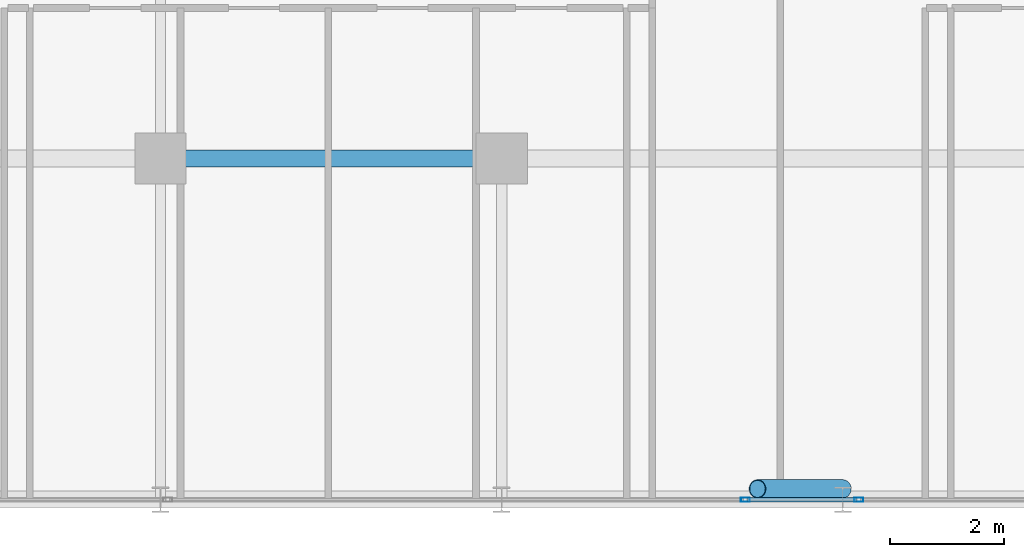
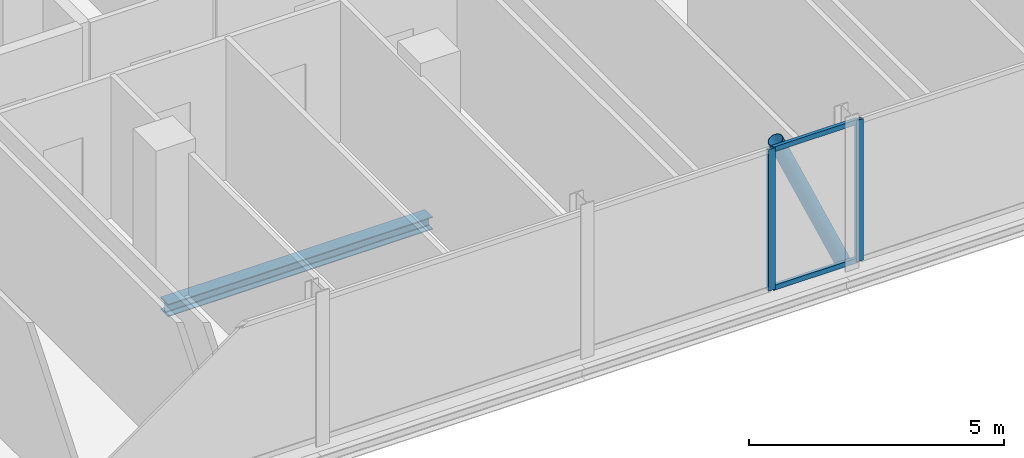
# One storey, part 10 of 29: 5 members, 1 beam, 2 elements without a shape of their own.
"""IFC4 building model written with IfcOpenShell, lengths in metres."""

from ifc_helpers import new_model, si_unit, direction, frame, origin, origin_2d, place, context, subcontext, project, spatial, hollow_rectangle, hollow_circle, i_section, extrude, material, layer, layer_set, material_profile, profile_set, type_object, element, aggregate, save


model = new_model("IFC4")

# Units and contexts
model_context = context("Model", 3, precision=1e-05, world=origin(), true_north=direction((0.0, 1.0)))
body_context = subcontext(model_context, "Body", "Model", "MODEL_VIEW")
ifc_project = project(units=[si_unit("LENGTHUNIT", "METRE"), si_unit("AREAUNIT", "SQUARE_METRE"), si_unit("VOLUMEUNIT", "CUBIC_METRE"), si_unit("PLANEANGLEUNIT", "RADIAN"), si_unit("MASSUNIT", "GRAM", prefix="KILO")], contexts=[model_context])

# Site, building, storey
site_placement = place(None, origin())
site = spatial("IfcSite", under=ifc_project, at=site_placement, CompositionType="ELEMENT")
building_placement = place(site_placement, origin())
building = spatial("IfcBuilding", under=site, at=building_placement, Name="Keshet Zoharim Tower", CompositionType="ELEMENT")
storey_placement = place(building_placement, frame((0.0, 0.0, 176.5)))
storey = spatial("IfcBuildingStorey", under=building, at=storey_placement, Name="L43", CompositionType="ELEMENT", Elevation=176.5)

# Beam
ifc_material_1 = material(Name="Steel S355", Category="steel")
ifc_material_profile_1 = material_profile(ifc_material_1, i_section(OverallWidth=0.300048828125, OverallDepth=0.300048828125, WebThickness=0.010986328125, FlangeThickness=0.01904296875, FilletRadius=0.027099609375, at=origin_2d()), Name="HEB300")
ifc_profile_set_1 = profile_set([ifc_material_profile_1], Name="Steel S355")
beam_type = type_object("IfcBeamType", Name="BM-PRI-HB300", PredefinedType="BEAM", material=ifc_profile_set_1)
beam_placement = place(storey_placement, frame((33.0, 6.699951171875, -0.4599609375), z_axis=(1.0, 0.0, 0.0), x_axis=(0.0, 1.0, 0.0)))
element("IfcBeam", 1, at=beam_placement, inside=storey, type_object=beam_type, Name="L43 Primary Girder X-007", PredefinedType="BEAM", context=body_context, shape_type="SweptSolid", body=[
    extrude(i_section(OverallWidth=0.300048828125, OverallDepth=0.300048828125, WebThickness=0.010986328125, FlangeThickness=0.01904296875, FilletRadius=0.027099609375, at=origin_2d()), origin(), (0.0, 0.0, 1.0), 6.0),
])

# Curtain wall, member
ifc_material_2 = material(Name="Aluminium 6063-T6", Category="aluminium")
ifc_layer = layer(ifc_material_2, 0.139892578125)
ifc_layer_set = layer_set([ifc_layer], Name="Aluminium 6063-T6")
curtain_wall_type = type_object("IfcCurtainWallType", Name="CW-SYS-05", PredefinedType="NOTDEFINED", material=ifc_layer_set)
curtain_wall_1_placement = place(storey_placement, origin())
curtain_wall_1 = element("IfcCurtainWall", 2, at=curtain_wall_1_placement, inside=storey, type_object=curtain_wall_type, Name="L43 Unitised Curtain Wall 06", PredefinedType="NOTDEFINED")
ifc_material_profile_2 = material_profile(ifc_material_2, hollow_rectangle(XDim=0.074951171875, YDim=0.159912109375, WallThickness=0.00390625, at=origin_2d()), Name="MUL-75x160")
ifc_profile_set_2 = profile_set([ifc_material_profile_2], Name="Aluminium 6063-T6")
member_type_1 = type_object("IfcMemberType", Name="CWM-M15", PredefinedType="MULLION", material=ifc_profile_set_2)
member_1_placement = place(storey_placement, frame((45.283203125, 0.699951171875, 0.0), z_axis=(0.0, 0.0, 1.0), x_axis=(0.0, -1.0, 0.0)))
member_1 = element("IfcMember", 3, at=member_1_placement, type_object=member_type_1, Name="CW-05 mullion 2", PredefinedType="MULLION", context=body_context, shape_type="SweptSolid", body=[
    extrude(hollow_rectangle(XDim=0.074951171875, YDim=0.159912109375, WallThickness=0.00390625, at=origin_2d()), origin(), (0.0, 0.0, 1.0), 3.389892578125),
])
aggregate(curtain_wall_1, [member_1])

# Curtain wall, members
curtain_wall_2_placement = place(storey_placement, origin())
curtain_wall_2 = element("IfcCurtainWall", 4, at=curtain_wall_2_placement, inside=storey, type_object=curtain_wall_type, Name="L43 Unitised Curtain Wall 06 Part 2", PredefinedType="NOTDEFINED")
member_2_placement = place(storey_placement, frame((43.286865234375, 0.699951171875, 0.0), z_axis=(0.0, 0.0, 1.0), x_axis=(0.0, -1.0, 0.0)))
member_2 = element("IfcMember", 5, at=member_2_placement, type_object=member_type_1, Name="CW-05 mullion 2", PredefinedType="MULLION", context=body_context, shape_type="SweptSolid", body=[
    extrude(hollow_rectangle(XDim=0.074951171875, YDim=0.159912109375, WallThickness=0.00390625, at=origin_2d()), origin(), (0.0, 0.0, 1.0), 3.389892578125),
])
ifc_material_profile_3 = material_profile(ifc_material_2, hollow_rectangle(XDim=0.074951171875, YDim=0.1201171875, WallThickness=0.00390625, at=origin_2d()), Name="TRN-75x120")
ifc_profile_set_3 = profile_set([ifc_material_profile_3], Name="Aluminium 6063-T6")
member_type_2 = type_object("IfcMemberType", Name="CWT-T12", PredefinedType="USERDEFINED", material=ifc_profile_set_3)
member_3_placement = place(storey_placement, frame((45.248046875, 0.699951171875, 0.034912109375), z_axis=(-1.0, 0.0, 0.0), x_axis=(0.0, -1.0, 0.0)))
member_3 = element("IfcMember", 6, at=member_3_placement, type_object=member_type_2, Name="CW-05 transom 1.1", ObjectType="TRANSOM", PredefinedType="USERDEFINED", context=body_context, shape_type="SweptSolid", body=[
    extrude(hollow_rectangle(XDim=0.074951171875, YDim=0.1201171875, WallThickness=0.00390625, at=origin_2d()), origin(), (0.0, 0.0, 1.0), 1.926025390625),
])
member_4_placement = place(storey_placement, frame((45.248046875, 0.699951171875, 3.35498046875), z_axis=(-1.0, 0.0, 0.0), x_axis=(0.0, -1.0, 0.0)))
member_4 = element("IfcMember", 7, at=member_4_placement, type_object=member_type_2, Name="CW-05 transom 1.2", ObjectType="TRANSOM", PredefinedType="USERDEFINED", context=body_context, shape_type="SweptSolid", body=[
    extrude(hollow_rectangle(XDim=0.074951171875, YDim=0.1201171875, WallThickness=0.00390625, at=origin_2d()), origin(), (0.0, 0.0, 1.0), 1.926025390625),
])
aggregate(curtain_wall_2, [member_2, member_3, member_4])

# Member
ifc_material_profile_4 = material_profile(ifc_material_1, hollow_circle(Radius=0.161865234375, WallThickness=0.012451171875, at=origin_2d()), Name="CHS323x12.5")
ifc_profile_set_4 = profile_set([ifc_material_profile_4], Name="Steel S355")
member_type_3 = type_object("IfcMemberType", Name="MB-BR-C323", PredefinedType="BRACE", material=ifc_profile_set_4)
member_5_placement = place(storey_placement, frame((45.0, 0.889892578125, 0.0), z_axis=(-0.40464689807, 0.0, 0.914473011019), x_axis=(0.0, -1.0, 0.0)))
element("IfcMember", 8, at=member_5_placement, inside=storey, type_object=member_type_3, Name="L43 Perimeter Tube Brace 03", PredefinedType="BRACE", context=body_context, shape_type="SweptSolid", body=[
    extrude(hollow_circle(Radius=0.161865234375, WallThickness=0.012451171875, at=origin_2d()), origin(), (0.0, 0.0, 1.0), 3.70703125),
])

save(model, "model.ifc")
